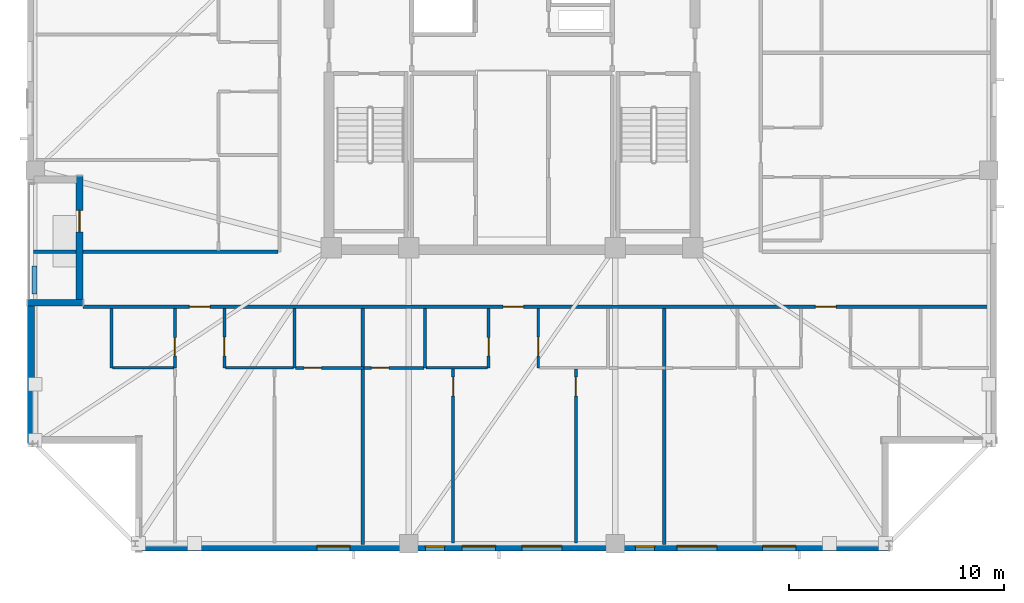
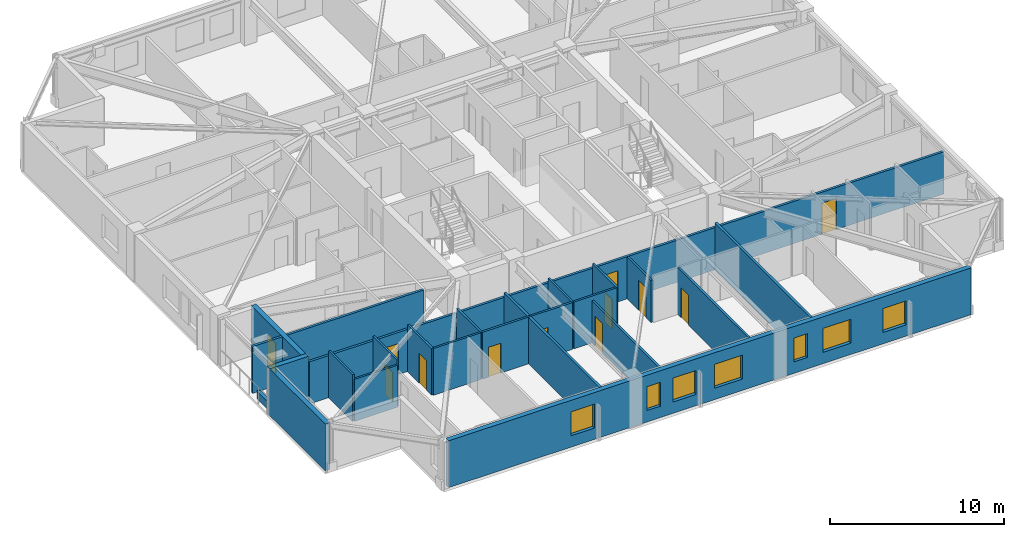
# One storey, part 7 of 16: 23 walls, 12 doors, 7 windows, 19 openings.
"""IFC4 building model written with IfcOpenShell, lengths in metres."""

from ifc_helpers import new_model, si_unit, direction, frame, frame_2d, origin, place, context, subcontext, project, spatial, rectangle, extrude, material, layer, layer_set, type_object, element, fill, save


model = new_model("IFC4")

# Units and contexts
model_context = context("Model", 3, precision=1e-05, world=origin(), true_north=direction((0.0, 1.0)))
body_context = subcontext(model_context, "Body", "Model", "MODEL_VIEW")
ifc_project = project(units=[si_unit("LENGTHUNIT", "METRE"), si_unit("AREAUNIT", "SQUARE_METRE"), si_unit("VOLUMEUNIT", "CUBIC_METRE"), si_unit("PLANEANGLEUNIT", "RADIAN"), si_unit("MASSUNIT", "GRAM", prefix="KILO")], contexts=[model_context])

# Site, building, storey
site_placement = place(None, origin())
site = spatial("IfcSite", under=ifc_project, at=site_placement, CompositionType="ELEMENT")
building_placement = place(site_placement, origin())
building = spatial("IfcBuilding", under=site, at=building_placement, Name="Cairnveth Concourse Tower", CompositionType="ELEMENT")
storey_placement = place(building_placement, frame((0.0, 0.0, 255.0)))
storey = spatial("IfcBuildingStorey", under=building, at=storey_placement, Name="L70", CompositionType="ELEMENT", Elevation=255.0)

# Wall, openings, doors
ifc_material_1 = material(Name="Gypsum Plasterboard Partition", Category="gypsum")
ifc_layer_1 = layer(ifc_material_1, 0.159912109375)
ifc_layer_set_1 = layer_set([ifc_layer_1], Name="Gypsum Plasterboard Partition")
wall_type_1 = type_object("IfcWallType", Name="ACOUSTIC PARTY WALL 180", PredefinedType="PARTITIONING", material=ifc_layer_set_1)
wall_1_placement = place(storey_placement, frame((32.06005859375, 27.847412109375, 0.0), z_axis=(0.0, 0.0, 1.0), x_axis=(1.0, 0.0, 0.0)))
wall_1 = element("IfcWall", 1, at=wall_1_placement, inside=storey, type_object=wall_type_1, Name="Interior Wall IW-L70-035", PredefinedType="PARTITIONING", context=body_context, shape_type="SweptSolid", body=[
    extrude(rectangle(XDim=42.135009765625, YDim=0.159912109375, at=frame_2d((21.0673828125, 0.0))), origin(), (0.0, 0.0, 1.0), 2.9580078125),
])
opening_1_placement = place(wall_1_placement, frame((4.951171875, 0.0, 0.0)))
opening_1 = element("IfcOpeningElement", 2, at=opening_1_placement, cuts=wall_1, Name="Opening ID10", PredefinedType="OPENING", context=body_context, shape_type="SweptSolid", body=[
    extrude(rectangle(XDim=0.9599609375, YDim=2.179931640625, at=frame_2d((0.47998046875, 1.08984375))), frame((0.0, 0.08984375, 0.0), z_axis=(0.0, -1.0, 0.0), x_axis=(1.0, 0.0, 0.0)), (0.0, 0.0, 1.0), 0.179931640625),
])
opening_2_placement = place(wall_1_placement, frame((19.52490234375, 0.0, 0.0)))
opening_2 = element("IfcOpeningElement", 3, at=opening_2_placement, cuts=wall_1, Name="Opening ID10", PredefinedType="OPENING", context=body_context, shape_type="SweptSolid", body=[
    extrude(rectangle(XDim=0.9599609375, YDim=2.179931640625, at=frame_2d((0.47998046875, 1.08984375))), frame((0.0, 0.08984375, 0.0), z_axis=(0.0, -1.0, 0.0), x_axis=(1.0, 0.0, 0.0)), (0.0, 0.0, 1.0), 0.179931640625),
])
opening_3_placement = place(wall_1_placement, frame((34.03369140625, 0.0, 0.0)))
opening_3 = element("IfcOpeningElement", 4, at=opening_3_placement, cuts=wall_1, Name="Opening ID10", PredefinedType="OPENING", context=body_context, shape_type="SweptSolid", body=[
    extrude(rectangle(XDim=0.9599609375, YDim=2.179931640625, at=frame_2d((0.47998046875, 1.08984375))), frame((0.0, 0.08984375, 0.0), z_axis=(0.0, -1.0, 0.0), x_axis=(1.0, 0.0, 0.0)), (0.0, 0.0, 1.0), 0.179931640625),
])
ifc_material_2 = material(Name="Solid Core Hardwood Timber Leaf", Category="wood")
door_type_1 = type_object("IfcDoorType", Name="FLAT ENTRANCE DOOR 960X2150", OperationType="NOTDEFINED", PredefinedType="DOOR", material=ifc_material_2)
door_1_placement = place(opening_1_placement, origin())
door_1 = element("IfcDoor", 5, at=door_1_placement, inside=storey, type_object=door_type_1, Name="Apartment L70S1 Entrance Door", OperationType="SINGLE_SWING_LEFT", OverallHeight=2.179931640625, OverallWidth=0.9599609375, PredefinedType="DOOR", context=body_context, shape_type="SweptSolid", body=[
    extrude(rectangle(XDim=0.9599609375, YDim=2.179931640625, at=frame_2d((0.47998046875, 1.08984375))), frame((0.0, 0.02490234375, 0.0), z_axis=(0.0, -1.0, 0.0), x_axis=(1.0, 0.0, 0.0)), (0.0, 0.0, 1.0), 0.050048828125),
])
fill(opening_1, door_1)
door_2_placement = place(opening_2_placement, origin())
door_2 = element("IfcDoor", 6, at=door_2_placement, inside=storey, type_object=door_type_1, Name="Apartment L70S2 Entrance Door", OperationType="SINGLE_SWING_RIGHT", OverallHeight=2.179931640625, OverallWidth=0.9599609375, PredefinedType="DOOR", context=body_context, shape_type="SweptSolid", body=[
    extrude(rectangle(XDim=0.9599609375, YDim=2.179931640625, at=frame_2d((0.47998046875, 1.08984375))), frame((0.0, 0.02490234375, 0.0), z_axis=(0.0, -1.0, 0.0), x_axis=(1.0, 0.0, 0.0)), (0.0, 0.0, 1.0), 0.050048828125),
])
fill(opening_2, door_2)
door_3_placement = place(opening_3_placement, origin())
door_3 = element("IfcDoor", 7, at=door_3_placement, inside=storey, type_object=door_type_1, Name="Apartment L70S3 Entrance Door", OperationType="SINGLE_SWING_LEFT", OverallHeight=2.179931640625, OverallWidth=0.9599609375, PredefinedType="DOOR", context=body_context, shape_type="SweptSolid", body=[
    extrude(rectangle(XDim=0.9599609375, YDim=2.179931640625, at=frame_2d((0.47998046875, 1.08984375))), frame((0.0, 0.02490234375, 0.0), z_axis=(0.0, -1.0, 0.0), x_axis=(1.0, 0.0, 0.0)), (0.0, 0.0, 1.0), 0.050048828125),
])
fill(opening_3, door_3)

# Walls
wall_2_placement = place(storey_placement, frame((29.77001953125, 30.39990234375, 0.0), z_axis=(0.0, 0.0, 1.0), x_axis=(1.0, 0.0, 0.0)))
element("IfcWall", 8, at=wall_2_placement, inside=storey, type_object=wall_type_1, Name="Interior Wall IW-L70-039", PredefinedType="PARTITIONING", context=body_context, shape_type="SweptSolid", body=[
    extrude(rectangle(XDim=11.364990234375, YDim=0.159912109375, at=frame_2d((5.6826171875, 0.0))), origin(), (0.0, 0.0, 1.0), 3.2900390625),
])
for number, where, z_axis, x_axis, name in (
    (9, (45.0625, 16.804931640625, 0.0), (0.0, 0.0, 1.0), (0.0, 1.0, 0.0), "Interior Wall IW-L70-052"),
    (10, (59.0673828125, 16.804931640625, 0.0), (0.0, 0.0, 1.0), (0.0, 1.0, 0.0), "Interior Wall IW-L70-063"),
):
    element("IfcWall", number, at=place(storey_placement, frame(where, z_axis=z_axis, x_axis=x_axis)), inside=storey, type_object=wall_type_1, Name=name, PredefinedType="PARTITIONING", context=body_context, shape_type="SweptSolid", body=[
        extrude(rectangle(XDim=10.9775390625, YDim=0.159912109375, at=frame_2d((5.48876953125, 0.0))), origin(), (0.0, 0.0, 1.0), 3.2900390625),
    ])

# Wall, opening, door
ifc_layer_2 = layer(ifc_material_1, 0.139892578125)
ifc_layer_set_2 = layer_set([ifc_layer_2], Name="Gypsum Plasterboard Partition")
wall_type_2 = type_object("IfcWallType", Name="GYPSUM STUD PARTITION 140", PredefinedType="PARTITIONING", material=ifc_layer_set_2)
wall_3_placement = place(storey_placement, frame((41.941162109375, 25.017578125, 0.0), z_axis=(0.0, 0.0, 1.0), x_axis=(1.0, 0.0, 0.0)))
wall_3 = element("IfcWall", 11, at=wall_3_placement, inside=storey, type_object=wall_type_2, Name="Interior Wall IW-L70-051", PredefinedType="PARTITIONING", context=body_context, shape_type="SweptSolid", body=[
    extrude(rectangle(XDim=3.17138671875, YDim=0.139892578125, at=frame_2d((1.585693359375, 0.0))), origin(), (0.0, 0.0, 1.0), 3.2900390625),
])
opening_4_placement = place(wall_3_placement, frame((0.39990234375, 0.0, 0.0)))
opening_4 = element("IfcOpeningElement", 12, at=opening_4_placement, cuts=wall_3, Name="Opening ID22", PredefinedType="OPENING", context=body_context, shape_type="SweptSolid", body=[
    extrude(rectangle(XDim=0.820068359375, YDim=2.10009765625, at=frame_2d((0.41015625, 1.050048828125))), frame((0.0, 0.079833984375, 0.0), z_axis=(0.0, -1.0, 0.0), x_axis=(1.0, 0.0, 0.0)), (0.0, 0.0, 1.0), 0.159912109375),
])
door_type_2 = type_object("IfcDoorType", Name="INTERIOR WC DOOR 820X2100", OperationType="NOTDEFINED", PredefinedType="DOOR", material=ifc_material_2)
door_4_placement = place(opening_4_placement, origin())
door_4 = element("IfcDoor", 13, at=door_4_placement, inside=storey, type_object=door_type_2, Name="L70S1 Utility Door", OperationType="SINGLE_SWING_LEFT", OverallHeight=2.10009765625, OverallWidth=0.820068359375, PredefinedType="DOOR", context=body_context, shape_type="SweptSolid", body=[
    extrude(rectangle(XDim=0.820068359375, YDim=2.10009765625, at=frame_2d((0.41015625, 1.050048828125))), frame((0.0, 0.02490234375, 0.0), z_axis=(0.0, -1.0, 0.0), x_axis=(1.0, 0.0, 0.0)), (0.0, 0.0, 1.0), 0.050048828125),
])
fill(opening_4, door_4)

wall_4_placement = place(storey_placement, frame((49.262451171875, 16.8798828125, 0.0), z_axis=(0.0, 0.0, 1.0), x_axis=(0.0, 1.0, 0.0)))
wall_4 = element("IfcWall", 14, at=wall_4_placement, inside=storey, type_object=wall_type_2, Name="Interior Wall IW-L70-059", PredefinedType="PARTITIONING", context=body_context, shape_type="SweptSolid", body=[
    extrude(rectangle(XDim=8.087646484375, YDim=0.139892578125, at=frame_2d((4.0439453125, 0.0))), origin(), (0.0, 0.0, 1.0), 2.9580078125),
])
opening_5_placement = place(wall_4_placement, frame((6.827392578125, 0.0, 0.0)))
opening_5 = element("IfcOpeningElement", 15, at=opening_5_placement, cuts=wall_4, Name="Opening ID18", PredefinedType="OPENING", context=body_context, shape_type="SweptSolid", body=[
    extrude(rectangle(XDim=0.8798828125, YDim=2.10009765625, at=frame_2d((0.43994140625, 1.050048828125))), frame((0.0, 0.079833984375, 0.0), z_axis=(0.0, -1.0, 0.0), x_axis=(1.0, 0.0, 0.0)), (0.0, 0.0, 1.0), 0.159912109375),
])
door_type_3 = type_object("IfcDoorType", Name="INTERIOR SINGLE DOOR 880X2100", OperationType="NOTDEFINED", PredefinedType="DOOR", material=ifc_material_2)
door_5_placement = place(opening_5_placement, origin())
door_5 = element("IfcDoor", 16, at=door_5_placement, inside=storey, type_object=door_type_3, Name="L70S2 Master Bedroom Door", OperationType="SINGLE_SWING_LEFT", OverallHeight=2.10009765625, OverallWidth=0.8798828125, PredefinedType="DOOR", context=body_context, shape_type="SweptSolid", body=[
    extrude(rectangle(XDim=0.8798828125, YDim=2.10009765625, at=frame_2d((0.43994140625, 1.050048828125))), frame((0.0, 0.02490234375, 0.0), z_axis=(0.0, -1.0, 0.0), x_axis=(1.0, 0.0, 0.0)), (0.0, 0.0, 1.0), 0.050048828125),
])
fill(opening_5, door_5)

wall_5_placement = place(storey_placement, frame((45.12744140625, 25.017578125, 0.0), z_axis=(0.0, 0.0, 1.0), x_axis=(1.0, 0.0, 0.0)))
wall_5 = element("IfcWall", 17, at=wall_5_placement, inside=storey, type_object=wall_type_2, Name="Interior Wall IW-L70-060", PredefinedType="PARTITIONING", context=body_context, shape_type="SweptSolid", body=[
    extrude(rectangle(XDim=2.78759765625, YDim=0.139892578125, at=frame_2d((1.393798828125, 0.0))), origin(), (0.0, 0.0, 1.0), 3.2900390625),
])
opening_6_placement = place(wall_5_placement, frame((0.3349609375, 0.0, 0.0)))
opening_6 = element("IfcOpeningElement", 18, at=opening_6_placement, cuts=wall_5, Name="Opening ID22", PredefinedType="OPENING", context=body_context, shape_type="SweptSolid", body=[
    extrude(rectangle(XDim=0.820068359375, YDim=2.10009765625, at=frame_2d((0.41015625, 1.050048828125))), frame((0.0, 0.079833984375, 0.0), z_axis=(0.0, -1.0, 0.0), x_axis=(1.0, 0.0, 0.0)), (0.0, 0.0, 1.0), 0.159912109375),
])
door_6_placement = place(opening_6_placement, origin())
door_6 = element("IfcDoor", 19, at=door_6_placement, inside=storey, type_object=door_type_2, Name="L70S2 Dressing Door", OperationType="SINGLE_SWING_RIGHT", OverallHeight=2.10009765625, OverallWidth=0.820068359375, PredefinedType="DOOR", context=body_context, shape_type="SweptSolid", body=[
    extrude(rectangle(XDim=0.820068359375, YDim=2.10009765625, at=frame_2d((0.41015625, 1.050048828125))), frame((0.0, 0.02490234375, 0.0), z_axis=(0.0, -1.0, 0.0), x_axis=(1.0, 0.0, 0.0)), (0.0, 0.0, 1.0), 0.050048828125),
])
fill(opening_6, door_6)

wall_6_placement = place(storey_placement, frame((54.967529296875, 16.8798828125, 0.0), z_axis=(0.0, 0.0, 1.0), x_axis=(0.0, 1.0, 0.0)))
wall_6 = element("IfcWall", 20, at=wall_6_placement, inside=storey, type_object=wall_type_2, Name="Interior Wall IW-L70-061", PredefinedType="PARTITIONING", context=body_context, shape_type="SweptSolid", body=[
    extrude(rectangle(XDim=8.087646484375, YDim=0.139892578125, at=frame_2d((4.0439453125, 0.0))), origin(), (0.0, 0.0, 1.0), 3.2900390625),
])
opening_7_placement = place(wall_6_placement, frame((6.827392578125, 0.0, 0.0)))
opening_7 = element("IfcOpeningElement", 21, at=opening_7_placement, cuts=wall_6, Name="Opening ID18", PredefinedType="OPENING", context=body_context, shape_type="SweptSolid", body=[
    extrude(rectangle(XDim=0.8798828125, YDim=2.10009765625, at=frame_2d((0.43994140625, 1.050048828125))), frame((0.0, 0.079833984375, 0.0), z_axis=(0.0, -1.0, 0.0), x_axis=(1.0, 0.0, 0.0)), (0.0, 0.0, 1.0), 0.159912109375),
])
door_7_placement = place(opening_7_placement, origin())
door_7 = element("IfcDoor", 22, at=door_7_placement, inside=storey, type_object=door_type_3, Name="L70S2 Bedroom 2 Door", OperationType="SINGLE_SWING_LEFT", OverallHeight=2.10009765625, OverallWidth=0.8798828125, PredefinedType="DOOR", context=body_context, shape_type="SweptSolid", body=[
    extrude(rectangle(XDim=0.8798828125, YDim=2.10009765625, at=frame_2d((0.43994140625, 1.050048828125))), frame((0.0, 0.02490234375, 0.0), z_axis=(0.0, -1.0, 0.0), x_axis=(1.0, 0.0, 0.0)), (0.0, 0.0, 1.0), 0.050048828125),
])
fill(opening_7, door_7)

# Walls
ifc_material_3 = material(Name="Dressed Melbourne Bluestone Cladding", Category="masonry")
ifc_layer_3 = layer(ifc_material_3, 0.219970703125)
ifc_layer_set_3 = layer_set([ifc_layer_3], Name="Dressed Melbourne Bluestone Cladding")
wall_type_3 = type_object("IfcWallType", Name="TERRACE PLANTER CURB WALL 220", PredefinedType="PARAPET", material=ifc_layer_set_3)
wall_7_placement = place(storey_placement, frame((29.820068359375, 28.449951171875, 0.0), z_axis=(0.0, 0.0, 1.0), x_axis=(0.0, 1.0, 0.0)))
element("IfcWall", 23, at=wall_7_placement, inside=storey, type_object=wall_type_3, Name="Exterior Wall PLNT-L70-TERR", PredefinedType="PARAPET", context=body_context, shape_type="SweptSolid", body=[
    extrude(rectangle(XDim=1.300048828125, YDim=0.219970703125, at=frame_2d((0.64990234375, 0.0))), origin(), (0.0, 0.0, 1.0), 0.550048828125),
])
ifc_layer_4 = layer(ifc_material_1, 0.1298828125)
ifc_layer_set_4 = layer_set([ifc_layer_4], Name="Gypsum Plasterboard Partition")
wall_type_4 = type_object("IfcWallType", Name="WET AREA PARTITION 140", PredefinedType="PLUMBINGWALL", material=ifc_layer_set_4)
wall_8_placement = place(storey_placement, frame((33.391357421875, 25.017578125, 0.0), z_axis=(0.0, 0.0, 1.0), x_axis=(0.0, 1.0, 0.0)))
element("IfcWall", 24, at=wall_8_placement, inside=storey, type_object=wall_type_4, Name="Interior Wall IW-L70-043", PredefinedType="PLUMBINGWALL", context=body_context, shape_type="SweptSolid", body=[
    extrude(rectangle(XDim=2.75, YDim=0.1298828125, at=frame_2d((1.375, 0.0))), origin(), (0.0, 0.0, 1.0), 3.2900390625),
])

# Wall, opening, door
wall_9_placement = place(storey_placement, frame((36.34130859375, 25.017578125, 0.0), z_axis=(0.0, 0.0, 1.0), x_axis=(0.0, 1.0, 0.0)))
wall_9 = element("IfcWall", 25, at=wall_9_placement, inside=storey, type_object=wall_type_4, Name="Interior Wall IW-L70-044", PredefinedType="PLUMBINGWALL", context=body_context, shape_type="SweptSolid", body=[
    extrude(rectangle(XDim=2.75, YDim=0.1298828125, at=frame_2d((1.375, 0.0))), origin(), (0.0, 0.0, 1.0), 3.2900390625),
])
opening_8_placement = place(wall_9_placement, frame((0.550048828125, 0.0, 0.0)))
opening_8 = element("IfcOpeningElement", 26, at=opening_8_placement, cuts=wall_9, Name="Opening ID21", PredefinedType="OPENING", context=body_context, shape_type="SweptSolid", body=[
    extrude(rectangle(XDim=0.85009765625, YDim=2.080078125, at=frame_2d((0.425048828125, 1.0400390625))), frame((0.0, 0.074951171875, 0.0), z_axis=(0.0, -1.0, 0.0), x_axis=(1.0, 0.0, 0.0)), (0.0, 0.0, 1.0), 0.14990234375),
])
door_type_4 = type_object("IfcDoorType", Name="INTERIOR WC DOOR 850X2100", OperationType="NOTDEFINED", PredefinedType="DOOR", material=ifc_material_2)
door_8_placement = place(opening_8_placement, origin())
door_8 = element("IfcDoor", 27, at=door_8_placement, inside=storey, type_object=door_type_4, Name="L70S1 Bathroom Door", OperationType="SINGLE_SWING_RIGHT", OverallHeight=2.080078125, OverallWidth=0.85009765625, PredefinedType="DOOR", context=body_context, shape_type="SweptSolid", body=[
    extrude(rectangle(XDim=0.85009765625, YDim=2.080078125, at=frame_2d((0.425048828125, 1.0400390625))), frame((0.0, 0.02490234375, 0.0), z_axis=(0.0, -1.0, 0.0), x_axis=(1.0, 0.0, 0.0)), (0.0, 0.0, 1.0), 0.050048828125),
])
fill(opening_8, door_8)

# Walls
wall_10_placement = place(storey_placement, frame((33.44140625, 25.017578125, 0.0), z_axis=(0.0, 0.0, 1.0), x_axis=(1.0, 0.0, 0.0)))
element("IfcWall", 28, at=wall_10_placement, inside=storey, type_object=wall_type_4, Name="Interior Wall IW-L70-045", PredefinedType="PLUMBINGWALL", context=body_context, shape_type="SweptSolid", body=[
    extrude(rectangle(XDim=2.849853515625, YDim=0.1298828125, at=frame_2d((1.4248046875, 0.0))), origin(), (0.0, 0.0, 1.0), 2.9580078125),
])
wall_11_placement = place(storey_placement, frame((41.89111328125, 25.017578125, 0.0), z_axis=(0.0, 0.0, 1.0), x_axis=(0.0, 1.0, 0.0)))
element("IfcWall", 29, at=wall_11_placement, inside=storey, type_object=wall_type_4, Name="Interior Wall IW-L70-046", PredefinedType="PLUMBINGWALL", context=body_context, shape_type="SweptSolid", body=[
    extrude(rectangle(XDim=2.75, YDim=0.1298828125, at=frame_2d((1.375, 0.0))), origin(), (0.0, 0.0, 1.0), 3.2900390625),
])

# Wall, opening, door
wall_12_placement = place(storey_placement, frame((38.64111328125, 25.017578125, 0.0), z_axis=(0.0, 0.0, 1.0), x_axis=(0.0, 1.0, 0.0)))
wall_12 = element("IfcWall", 30, at=wall_12_placement, inside=storey, type_object=wall_type_4, Name="Interior Wall IW-L70-047", PredefinedType="PLUMBINGWALL", context=body_context, shape_type="SweptSolid", body=[
    extrude(rectangle(XDim=2.75, YDim=0.1298828125, at=frame_2d((1.375, 0.0))), origin(), (0.0, 0.0, 1.0), 3.2900390625),
])
opening_9_placement = place(wall_12_placement, frame((0.550048828125, 0.0, 0.0)))
opening_9 = element("IfcOpeningElement", 31, at=opening_9_placement, cuts=wall_12, Name="Opening ID18", PredefinedType="OPENING", context=body_context, shape_type="SweptSolid", body=[
    extrude(rectangle(XDim=0.8798828125, YDim=2.10009765625, at=frame_2d((0.43994140625, 1.050048828125))), frame((0.0, 0.074951171875, 0.0), z_axis=(0.0, -1.0, 0.0), x_axis=(1.0, 0.0, 0.0)), (0.0, 0.0, 1.0), 0.14990234375),
])
door_9_placement = place(opening_9_placement, origin())
door_9 = element("IfcDoor", 32, at=door_9_placement, inside=storey, type_object=door_type_3, Name="L70S1 Kitchen Door", OperationType="SINGLE_SWING_LEFT", OverallHeight=2.10009765625, OverallWidth=0.8798828125, PredefinedType="DOOR", context=body_context, shape_type="SweptSolid", body=[
    extrude(rectangle(XDim=0.8798828125, YDim=2.10009765625, at=frame_2d((0.43994140625, 1.050048828125))), frame((0.0, 0.02490234375, 0.0), z_axis=(0.0, -1.0, 0.0), x_axis=(1.0, 0.0, 0.0)), (0.0, 0.0, 1.0), 0.050048828125),
])
fill(opening_9, door_9)

# Walls
wall_13_placement = place(storey_placement, frame((38.691162109375, 25.017578125, 0.0), z_axis=(0.0, 0.0, 1.0), x_axis=(1.0, 0.0, 0.0)))
element("IfcWall", 33, at=wall_13_placement, inside=storey, type_object=wall_type_4, Name="Interior Wall IW-L70-048", PredefinedType="PLUMBINGWALL", context=body_context, shape_type="SweptSolid", body=[
    extrude(rectangle(XDim=3.150146484375, YDim=0.1298828125, at=frame_2d((1.5751953125, 0.0))), origin(), (0.0, 0.0, 1.0), 3.2900390625),
])
wall_14_placement = place(storey_placement, frame((47.965087890625, 25.017578125, 0.0), z_axis=(0.0, 0.0, 1.0), x_axis=(0.0, 1.0, 0.0)))
element("IfcWall", 34, at=wall_14_placement, inside=storey, type_object=wall_type_4, Name="Interior Wall IW-L70-053", PredefinedType="PLUMBINGWALL", context=body_context, shape_type="SweptSolid", body=[
    extrude(rectangle(XDim=2.75, YDim=0.1298828125, at=frame_2d((1.375, 0.0))), origin(), (0.0, 0.0, 1.0), 3.2900390625),
])

# Wall, opening, door
wall_15_placement = place(storey_placement, frame((50.9150390625, 25.017578125, 0.0), z_axis=(0.0, 0.0, 1.0), x_axis=(0.0, 1.0, 0.0)))
wall_15 = element("IfcWall", 35, at=wall_15_placement, inside=storey, type_object=wall_type_4, Name="Interior Wall IW-L70-054", PredefinedType="PLUMBINGWALL", context=body_context, shape_type="SweptSolid", body=[
    extrude(rectangle(XDim=2.75, YDim=0.1298828125, at=frame_2d((1.375, 0.0))), origin(), (0.0, 0.0, 1.0), 3.2900390625),
])
opening_10_placement = place(wall_15_placement, frame((0.550048828125, 0.0, 0.0)))
opening_10 = element("IfcOpeningElement", 36, at=opening_10_placement, cuts=wall_15, Name="Opening ID21", PredefinedType="OPENING", context=body_context, shape_type="SweptSolid", body=[
    extrude(rectangle(XDim=0.85009765625, YDim=2.080078125, at=frame_2d((0.425048828125, 1.0400390625))), frame((0.0, 0.074951171875, 0.0), z_axis=(0.0, -1.0, 0.0), x_axis=(1.0, 0.0, 0.0)), (0.0, 0.0, 1.0), 0.14990234375),
])
door_10_placement = place(opening_10_placement, origin())
door_10 = element("IfcDoor", 37, at=door_10_placement, inside=storey, type_object=door_type_4, Name="L70S2 Bathroom Door", OperationType="SINGLE_SWING_RIGHT", OverallHeight=2.080078125, OverallWidth=0.85009765625, PredefinedType="DOOR", context=body_context, shape_type="SweptSolid", body=[
    extrude(rectangle(XDim=0.85009765625, YDim=2.080078125, at=frame_2d((0.425048828125, 1.0400390625))), frame((0.0, 0.02490234375, 0.0), z_axis=(0.0, -1.0, 0.0), x_axis=(1.0, 0.0, 0.0)), (0.0, 0.0, 1.0), 0.050048828125),
])
fill(opening_10, door_10)

# Wall
wall_16_placement = place(storey_placement, frame((48.014892578125, 25.017578125, 0.0), z_axis=(0.0, 0.0, 1.0), x_axis=(1.0, 0.0, 0.0)))
element("IfcWall", 38, at=wall_16_placement, inside=storey, type_object=wall_type_4, Name="Interior Wall IW-L70-055", PredefinedType="PLUMBINGWALL", context=body_context, shape_type="SweptSolid", body=[
    extrude(rectangle(XDim=2.85009765625, YDim=0.1298828125, at=frame_2d((1.425048828125, 0.0))), origin(), (0.0, 0.0, 1.0), 3.2900390625),
])

# Wall, opening, door
wall_17_placement = place(storey_placement, frame((53.215087890625, 25.017578125, 0.0), z_axis=(0.0, 0.0, 1.0), x_axis=(0.0, 1.0, 0.0)))
wall_17 = element("IfcWall", 39, at=wall_17_placement, inside=storey, type_object=wall_type_4, Name="Interior Wall IW-L70-057", PredefinedType="PLUMBINGWALL", context=body_context, shape_type="SweptSolid", body=[
    extrude(rectangle(XDim=2.75, YDim=0.1298828125, at=frame_2d((1.375, 0.0))), origin(), (0.0, 0.0, 1.0), 2.9580078125),
])
opening_11_placement = place(wall_17_placement, frame((0.550048828125, 0.0, 0.0)))
opening_11 = element("IfcOpeningElement", 40, at=opening_11_placement, cuts=wall_17, Name="Opening ID18", PredefinedType="OPENING", context=body_context, shape_type="SweptSolid", body=[
    extrude(rectangle(XDim=0.8798828125, YDim=2.10009765625, at=frame_2d((0.43994140625, 1.050048828125))), frame((0.0, 0.074951171875, 0.0), z_axis=(0.0, -1.0, 0.0), x_axis=(1.0, 0.0, 0.0)), (0.0, 0.0, 1.0), 0.14990234375),
])
door_11_placement = place(opening_11_placement, origin())
door_11 = element("IfcDoor", 41, at=door_11_placement, inside=storey, type_object=door_type_3, Name="L70S2 Kitchen Door", OperationType="SINGLE_SWING_LEFT", OverallHeight=2.10009765625, OverallWidth=0.8798828125, PredefinedType="DOOR", context=body_context, shape_type="SweptSolid", body=[
    extrude(rectangle(XDim=0.8798828125, YDim=2.10009765625, at=frame_2d((0.43994140625, 1.050048828125))), frame((0.0, 0.02490234375, 0.0), z_axis=(0.0, -1.0, 0.0), x_axis=(1.0, 0.0, 0.0)), (0.0, 0.0, 1.0), 0.050048828125),
])
fill(opening_11, door_11)

# Wall, openings, windows
ifc_material_4 = material(Name="Melbourne Buff Fired Clay Brick Masonry", Category="masonry")
ifc_layer_5 = layer(ifc_material_4, 0.320068359375)
ifc_layer_set_5 = layer_set([ifc_layer_5], Name="Melbourne Buff Fired Clay Brick Masonry")
wall_type_5 = type_object("IfcWallType", Name="ZONE 3 BRICK PIER SPANDREL WALL 320", PredefinedType="SOLIDWALL", material=ifc_layer_set_5)
wall_18_placement = place(storey_placement, frame((69.5, 16.659912109375, 0.0), z_axis=(0.0, 0.0, 1.0), x_axis=(-1.0, 0.0, 0.0)))
wall_18 = element("IfcWall", 42, at=wall_18_placement, inside=storey, type_object=wall_type_5, Name="Exterior Wall EW-L70-S09", PredefinedType="SOLIDWALL", context=body_context, shape_type="SweptSolid", body=[
    extrude(rectangle(XDim=34.701904296875, YDim=0.320068359375, at=frame_2d((17.35107421875, 0.0))), origin(), (0.0, 0.0, 1.0), 3.2900390625),
])
opening_12_placement = place(wall_18_placement, frame((4.3125, 0.0, 0.800048828125)))
opening_12 = element("IfcOpeningElement", 43, at=opening_12_placement, cuts=wall_18, Name="Opening W07", PredefinedType="OPENING", context=body_context, shape_type="SweptSolid", body=[
    extrude(rectangle(XDim=1.550048828125, YDim=1.677978515625, at=frame_2d((0.77490234375, 0.8388671875))), frame((0.0, 0.169921875, 0.0), z_axis=(0.0, -1.0, 0.0), x_axis=(1.0, 0.0, 0.0)), (0.0, 0.0, 1.0), 0.340087890625),
])
opening_13_placement = place(wall_18_placement, frame((7.98779296875, 0.0, 0.800048828125)))
opening_13 = element("IfcOpeningElement", 44, at=opening_13_placement, cuts=wall_18, Name="Opening W08", PredefinedType="OPENING", context=body_context, shape_type="SweptSolid", body=[
    extrude(rectangle(XDim=1.85009765625, YDim=1.677978515625, at=frame_2d((0.925048828125, 0.8388671875))), frame((0.0, 0.169921875, 0.0), z_axis=(0.0, -1.0, 0.0), x_axis=(1.0, 0.0, 0.0)), (0.0, 0.0, 1.0), 0.340087890625),
])
opening_14_placement = place(wall_18_placement, frame((15.1884765625, 0.0, 0.800048828125)))
opening_14 = element("IfcOpeningElement", 45, at=opening_14_placement, cuts=wall_18, Name="Opening W08", PredefinedType="OPENING", context=body_context, shape_type="SweptSolid", body=[
    extrude(rectangle(XDim=1.85009765625, YDim=1.677978515625, at=frame_2d((0.925048828125, 0.8388671875))), frame((0.0, 0.169921875, 0.0), z_axis=(0.0, -1.0, 0.0), x_axis=(1.0, 0.0, 0.0)), (0.0, 0.0, 1.0), 0.340087890625),
])
opening_15_placement = place(wall_18_placement, frame((18.263671875, 0.0, 0.800048828125)))
opening_15 = element("IfcOpeningElement", 46, at=opening_15_placement, cuts=wall_18, Name="Opening W07", PredefinedType="OPENING", context=body_context, shape_type="SweptSolid", body=[
    extrude(rectangle(XDim=1.550048828125, YDim=1.677978515625, at=frame_2d((0.77490234375, 0.8388671875))), frame((0.0, 0.169921875, 0.0), z_axis=(0.0, -1.0, 0.0), x_axis=(1.0, 0.0, 0.0)), (0.0, 0.0, 1.0), 0.340087890625),
])
opening_16_placement = place(wall_18_placement, frame((25.01416015625, 0.0, 0.800048828125)))
opening_16 = element("IfcOpeningElement", 47, at=opening_16_placement, cuts=wall_18, Name="Opening W07", PredefinedType="OPENING", context=body_context, shape_type="SweptSolid", body=[
    extrude(rectangle(XDim=1.550048828125, YDim=1.677978515625, at=frame_2d((0.77490234375, 0.8388671875))), frame((0.0, 0.169921875, 0.0), z_axis=(0.0, -1.0, 0.0), x_axis=(1.0, 0.0, 0.0)), (0.0, 0.0, 1.0), 0.340087890625),
])
opening_17_placement = place(wall_18_placement, frame((20.6298828125, 0.0, 0.800048828125)))
opening_17 = element("IfcOpeningElement", 48, at=opening_17_placement, cuts=wall_18, Name="Opening W13", PredefinedType="OPENING", context=body_context, shape_type="SweptSolid", body=[
    extrude(rectangle(XDim=0.89990234375, YDim=1.677978515625, at=frame_2d((0.449951171875, 0.8388671875))), frame((0.0, 0.169921875, 0.0), z_axis=(0.0, -1.0, 0.0), x_axis=(1.0, 0.0, 0.0)), (0.0, 0.0, 1.0), 0.340087890625),
])
opening_18_placement = place(wall_18_placement, frame((10.8701171875, 0.0, 0.800048828125)))
opening_18 = element("IfcOpeningElement", 49, at=opening_18_placement, cuts=wall_18, Name="Opening W13", PredefinedType="OPENING", context=body_context, shape_type="SweptSolid", body=[
    extrude(rectangle(XDim=0.89990234375, YDim=1.677978515625, at=frame_2d((0.449951171875, 0.8388671875))), frame((0.0, 0.169921875, 0.0), z_axis=(0.0, -1.0, 0.0), x_axis=(1.0, 0.0, 0.0)), (0.0, 0.0, 1.0), 0.340087890625),
])
ifc_material_5 = material(Name="Double Glazed Low-E Clear Glass", Category="glass")
window_type_1 = type_object("IfcWindowType", Name="DEEP-SET APARTMENT LIVING WINDOW 1850X1850", PartitioningType="DOUBLE_PANEL_VERTICAL", PredefinedType="WINDOW", material=ifc_material_5)
window_1_placement = place(opening_13_placement, origin())
window_1 = element("IfcWindow", 50, at=window_1_placement, inside=storey, type_object=window_type_1, Name="Gothic Lancet Window L70-9-2", OverallHeight=1.677978515625, OverallWidth=1.85009765625, PartitioningType="SINGLE_PANEL", PredefinedType="WINDOW", context=body_context, shape_type="SweptSolid", body=[
    extrude(rectangle(XDim=1.85009765625, YDim=1.677978515625, at=frame_2d((0.925048828125, 0.8388671875))), frame((0.0, -0.050048828125, 0.0), z_axis=(0.0, -1.0, 0.0), x_axis=(1.0, 0.0, 0.0)), (0.0, 0.0, 1.0), 0.06005859375),
])
fill(opening_13, window_1)
window_2_placement = place(opening_14_placement, origin())
window_2 = element("IfcWindow", 51, at=window_2_placement, inside=storey, type_object=window_type_1, Name="Gothic Lancet Window L70-9-4", OverallHeight=1.677978515625, OverallWidth=1.85009765625, PartitioningType="SINGLE_PANEL", PredefinedType="WINDOW", context=body_context, shape_type="SweptSolid", body=[
    extrude(rectangle(XDim=1.85009765625, YDim=1.677978515625, at=frame_2d((0.925048828125, 0.8388671875))), frame((0.0, -0.050048828125, 0.0), z_axis=(0.0, -1.0, 0.0), x_axis=(1.0, 0.0, 0.0)), (0.0, 0.0, 1.0), 0.06005859375),
])
fill(opening_14, window_2)
window_type_2 = type_object("IfcWindowType", Name="DEEP-SET APARTMENT WINDOW 1550X1800", PartitioningType="DOUBLE_PANEL_VERTICAL", PredefinedType="WINDOW", material=ifc_material_5)
window_3_placement = place(opening_12_placement, origin())
window_3 = element("IfcWindow", 52, at=window_3_placement, inside=storey, type_object=window_type_2, Name="Gothic Lancet Window L70-9-1", OverallHeight=1.677978515625, OverallWidth=1.550048828125, PartitioningType="SINGLE_PANEL", PredefinedType="WINDOW", context=body_context, shape_type="SweptSolid", body=[
    extrude(rectangle(XDim=1.550048828125, YDim=1.677978515625, at=frame_2d((0.77490234375, 0.8388671875))), frame((0.0, -0.050048828125, 0.0), z_axis=(0.0, -1.0, 0.0), x_axis=(1.0, 0.0, 0.0)), (0.0, 0.0, 1.0), 0.06005859375),
])
fill(opening_12, window_3)
window_4_placement = place(opening_15_placement, origin())
window_4 = element("IfcWindow", 53, at=window_4_placement, inside=storey, type_object=window_type_2, Name="Gothic Lancet Window L70-9-5", OverallHeight=1.677978515625, OverallWidth=1.550048828125, PartitioningType="SINGLE_PANEL", PredefinedType="WINDOW", context=body_context, shape_type="SweptSolid", body=[
    extrude(rectangle(XDim=1.550048828125, YDim=1.677978515625, at=frame_2d((0.77490234375, 0.8388671875))), frame((0.0, -0.050048828125, 0.0), z_axis=(0.0, -1.0, 0.0), x_axis=(1.0, 0.0, 0.0)), (0.0, 0.0, 1.0), 0.06005859375),
])
fill(opening_15, window_4)
window_5_placement = place(opening_16_placement, origin())
window_5 = element("IfcWindow", 54, at=window_5_placement, inside=storey, type_object=window_type_2, Name="Gothic Lancet Window L70-9-7", OverallHeight=1.677978515625, OverallWidth=1.550048828125, PartitioningType="SINGLE_PANEL", PredefinedType="WINDOW", context=body_context, shape_type="SweptSolid", body=[
    extrude(rectangle(XDim=1.550048828125, YDim=1.677978515625, at=frame_2d((0.77490234375, 0.8388671875))), frame((0.0, -0.050048828125, 0.0), z_axis=(0.0, -1.0, 0.0), x_axis=(1.0, 0.0, 0.0)), (0.0, 0.0, 1.0), 0.06005859375),
])
fill(opening_16, window_5)
window_type_3 = type_object("IfcWindowType", Name="DEEP-SET BEDROOM LANCET WINDOW 900X1750", PartitioningType="DOUBLE_PANEL_VERTICAL", PredefinedType="WINDOW", material=ifc_material_5)
window_6_placement = place(opening_17_placement, origin())
window_6 = element("IfcWindow", 55, at=window_6_placement, inside=storey, type_object=window_type_3, Name="Dwelling Lancet Window L70-DW2", OverallHeight=1.677978515625, OverallWidth=0.89990234375, PartitioningType="SINGLE_PANEL", PredefinedType="WINDOW", context=body_context, shape_type="SweptSolid", body=[
    extrude(rectangle(XDim=0.89990234375, YDim=1.677978515625, at=frame_2d((0.449951171875, 0.8388671875))), frame((0.0, -0.0400390625, 0.0), z_axis=(0.0, -1.0, 0.0), x_axis=(1.0, 0.0, 0.0)), (0.0, 0.0, 1.0), 0.06005859375),
])
fill(opening_17, window_6)
window_7_placement = place(opening_18_placement, origin())
window_7 = element("IfcWindow", 56, at=window_7_placement, inside=storey, type_object=window_type_3, Name="Dwelling Lancet Window L70-DW3", OverallHeight=1.677978515625, OverallWidth=0.89990234375, PartitioningType="SINGLE_PANEL", PredefinedType="WINDOW", context=body_context, shape_type="SweptSolid", body=[
    extrude(rectangle(XDim=0.89990234375, YDim=1.677978515625, at=frame_2d((0.449951171875, 0.8388671875))), frame((0.0, -0.0400390625, 0.0), z_axis=(0.0, -1.0, 0.0), x_axis=(1.0, 0.0, 0.0)), (0.0, 0.0, 1.0), 0.06005859375),
])
fill(opening_18, window_7)

# Walls
wall_19_placement = place(storey_placement, frame((29.659912109375, 21.5, 0.0), z_axis=(0.0, 0.0, 1.0), x_axis=(0.0, 1.0, 0.0)))
element("IfcWall", 57, at=wall_19_placement, inside=storey, type_object=wall_type_5, Name="Exterior Wall EW-L70-S12", PredefinedType="SOLIDWALL", context=body_context, shape_type="SweptSolid", body=[
    extrude(rectangle(XDim=6.402099609375, YDim=0.320068359375, at=frame_2d((3.201171875, 0.0))), origin(), (0.0, 0.0, 1.0), 3.2900390625),
])
wall_20_placement = place(storey_placement, frame((29.5, 28.0400390625, 0.0), z_axis=(0.0, 0.0, 1.0), x_axis=(1.0, 0.0, 0.0)))
element("IfcWall", 58, at=wall_20_placement, inside=storey, type_object=wall_type_5, Name="Exterior Wall EW-L70-S13", PredefinedType="SOLIDWALL", context=body_context, shape_type="SweptSolid", body=[
    extrude(rectangle(XDim=2.570068359375, YDim=0.320068359375, at=frame_2d((1.28515625, 0.0))), origin(), (0.0, 0.0, 1.0), 3.2900390625),
])

# Wall, opening, door
wall_21_placement = place(storey_placement, frame((31.909912109375, 28.177978515625, 0.0), z_axis=(0.0, 0.0, 1.0), x_axis=(0.0, 1.0, 0.0)))
wall_21 = element("IfcWall", 59, at=wall_21_placement, inside=storey, type_object=wall_type_5, Name="Exterior Wall EW-L70-S14", PredefinedType="SOLIDWALL", context=body_context, shape_type="SweptSolid", body=[
    extrude(rectangle(XDim=5.741943359375, YDim=0.320068359375, at=frame_2d((2.87109375, 0.0))), origin(), (0.0, 0.0, 1.0), 3.2900390625),
])
opening_19_placement = place(wall_21_placement, frame((3.156982421875, 0.0, 0.0)))
opening_19 = element("IfcOpeningElement", 60, at=opening_19_placement, cuts=wall_21, Name="Opening ED4", PredefinedType="OPENING", context=body_context, shape_type="SweptSolid", body=[
    extrude(rectangle(XDim=1.0, YDim=2.14990234375, at=frame_2d((0.5, 1.074951171875))), frame((0.0, 0.169921875, 0.0), z_axis=(0.0, -1.0, 0.0), x_axis=(1.0, 0.0, 0.0)), (0.0, 0.0, 1.0), 0.340087890625),
])
ifc_material_6 = material(Name="Architectural Bronze Anodised Aluminium 6063-T6", Category="aluminium")
door_type_5 = type_object("IfcDoorType", Name="TERRACE GLAZED DOOR 1000X2150", OperationType="NOTDEFINED", PredefinedType="DOOR", material=ifc_material_6)
door_12_placement = place(opening_19_placement, origin())
door_12 = element("IfcDoor", 61, at=door_12_placement, inside=storey, type_object=door_type_5, Name="Spiral Terrace Door L70", OperationType="SINGLE_SWING_LEFT", OverallHeight=2.14990234375, OverallWidth=1.0, PredefinedType="DOOR", context=body_context, shape_type="SweptSolid", body=[
    extrude(rectangle(XDim=1.0, YDim=2.14990234375, at=frame_2d((0.5, 1.074951171875))), frame((0.0, 0.02490234375, 0.0), z_axis=(0.0, -1.0, 0.0), x_axis=(1.0, 0.0, 0.0)), (0.0, 0.0, 1.0), 0.050048828125),
])
fill(opening_19, door_12)

save(model, "model.ifc")
